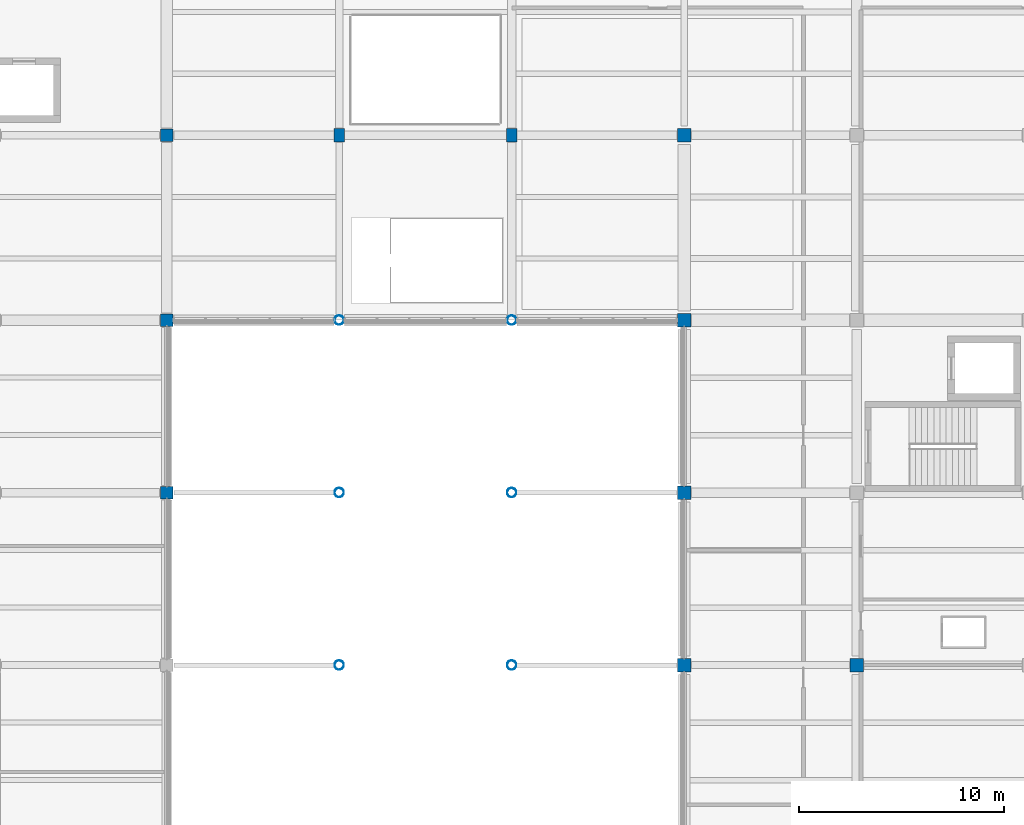
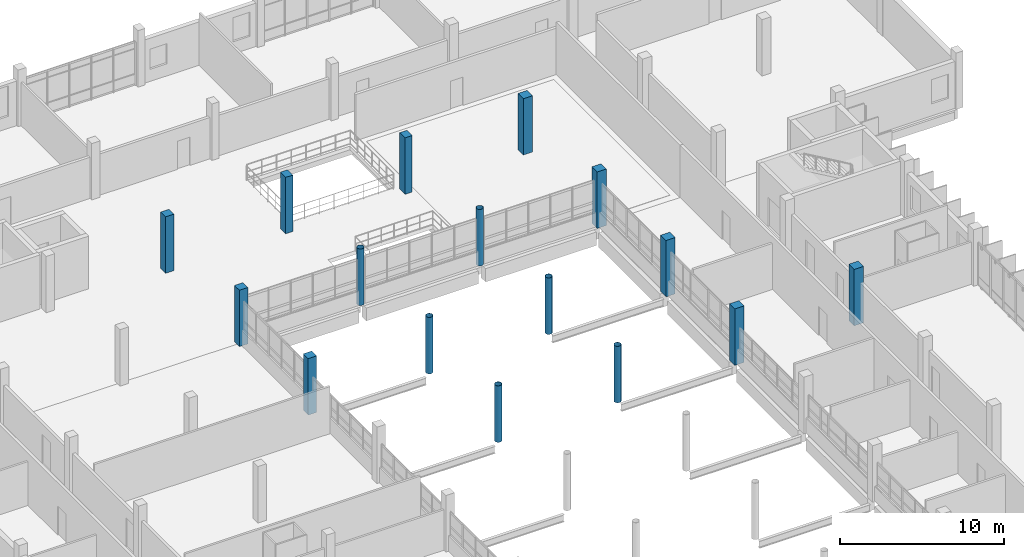
# One storey, part 6 of 101: 16 columns.
"""IFC4 building model written with IfcOpenShell, lengths in metres."""

from ifc_helpers import new_model, si_unit, direction, frame, origin, origin_2d, place, context, subcontext, project, spatial, rectangle, hollow_circle, extrude, material, material_profile, profile_set, type_object, element, save


model = new_model("IFC4")

# Units and contexts
model_context = context("Model", 3, precision=1e-05, world=origin(), true_north=direction((0.0, 1.0)))
body_context = subcontext(model_context, "Body", "Model", "MODEL_VIEW")
ifc_project = project(units=[si_unit("LENGTHUNIT", "METRE"), si_unit("AREAUNIT", "SQUARE_METRE"), si_unit("VOLUMEUNIT", "CUBIC_METRE"), si_unit("PLANEANGLEUNIT", "RADIAN"), si_unit("MASSUNIT", "GRAM", prefix="KILO")], contexts=[model_context])

# Site, building, storey
site_placement = place(None, origin())
site = spatial("IfcSite", under=ifc_project, at=site_placement, CompositionType="ELEMENT")
building_placement = place(site_placement, origin())
building = spatial("IfcBuilding", under=site, at=building_placement, Name="Vireocrest Preparatory School", CompositionType="ELEMENT")
storey_placement = place(building_placement, frame((0.0, 0.0, 4.800048828125)))
storey = spatial("IfcBuildingStorey", under=building, at=storey_placement, Name="L01", CompositionType="ELEMENT", Elevation=4.800048828125)

# Columns
ifc_material_1 = material(Name="Concrete 45 MPa", Category="concrete")
ifc_material_profile_1 = material_profile(ifc_material_1, rectangle(XDim=0.60009765625, YDim=0.60009765625, at=origin_2d()), Name="RC 600x600")
ifc_profile_set_1 = profile_set([ifc_material_profile_1], Name="Concrete 45 MPa")
column_type_1 = type_object("IfcColumnType", Name="RC Column 600x600", PredefinedType="COLUMN", material=ifc_profile_set_1)
for number, where, z_axis, x_axis, name in (
    (1, (67.199951171875, 77.39990234375, 0.0), (0.0, 0.0, 1.0), (1.0, 0.0, 0.0), "Column C05 L01 9/K"),
    (2, (67.199951171875, 85.800048828125, 0.0), (0.0, 0.0, 1.0), (1.0, 0.0, 0.0), "Column C05 L01 9/L"),
    (3, (67.199951171875, 94.800048828125, 0.0), (0.0, 0.0, 1.0), (1.0, 0.0, 0.0), "Column C05 L01 9/M"),
):
    element("IfcColumn", number, at=place(storey_placement, frame(where, z_axis=z_axis, x_axis=x_axis)), inside=storey, type_object=column_type_1, Name=name, PredefinedType="COLUMN", context=body_context, shape_type="SweptSolid", body=[
        extrude(rectangle(XDim=0.60009765625, YDim=0.60009765625, at=origin_2d()), origin(), (0.0, 0.0, 1.0), 4.199951171875),
    ])
ifc_material_profile_2 = material_profile(ifc_material_1, rectangle(XDim=0.64990234375, YDim=0.64990234375, at=origin_2d()), Name="RC 650x650")
ifc_profile_set_2 = profile_set([ifc_material_profile_2], Name="Concrete 45 MPa")
column_type_2 = type_object("IfcColumnType", Name="RC Column 650x650", PredefinedType="COLUMN", material=ifc_profile_set_2)
for number, where, z_axis, x_axis, name in (
    (4, (92.39990234375, 69.0, 0.0), (0.0, 0.0, 1.0), (1.0, 0.0, 0.0), "Column C06 L01 12/J"),
    (5, (92.39990234375, 77.39990234375, 0.0), (0.0, 0.0, 1.0), (1.0, 0.0, 0.0), "Column C06 L01 12/K"),
    (6, (92.39990234375, 85.800048828125, 0.0), (0.0, 0.0, 1.0), (1.0, 0.0, 0.0), "Column C06 L01 12/L"),
    (7, (92.39990234375, 94.800048828125, 0.0), (0.0, 0.0, 1.0), (1.0, 0.0, 0.0), "Column C06 L01 12/M"),
    (8, (100.800048828125, 69.0, 0.0), (0.0, 0.0, 1.0), (1.0, 0.0, 0.0), "Column C06 L01 13/J"),
):
    element("IfcColumn", number, at=place(storey_placement, frame(where, z_axis=z_axis, x_axis=x_axis)), inside=storey, type_object=column_type_2, Name=name, PredefinedType="COLUMN", context=body_context, shape_type="SweptSolid", body=[
        extrude(rectangle(XDim=0.64990234375, YDim=0.64990234375, at=origin_2d()), origin(), (0.0, 0.0, 1.0), 4.199951171875),
    ])
ifc_material_profile_3 = material_profile(ifc_material_1, rectangle(XDim=0.5, YDim=0.64990234375, at=origin_2d()), Name="RC 500x650")
ifc_profile_set_3 = profile_set([ifc_material_profile_3], Name="Concrete 45 MPa")
column_type_3 = type_object("IfcColumnType", Name="RC Hall Column 500x650", PredefinedType="COLUMN", material=ifc_profile_set_3)
for number, where, z_axis, x_axis, name in (
    (9, (75.60009765625, 94.800048828125, 0.0), (0.0, 0.0, 1.0), (1.0, 0.0, 0.0), "Column C11 L01 10/M"),
    (10, (84.0, 94.800048828125, 0.0), (0.0, 0.0, 1.0), (1.0, 0.0, 0.0), "Column C11 L01 11/M"),
):
    element("IfcColumn", number, at=place(storey_placement, frame(where, z_axis=z_axis, x_axis=x_axis)), inside=storey, type_object=column_type_3, Name=name, PredefinedType="COLUMN", context=body_context, shape_type="SweptSolid", body=[
        extrude(rectangle(XDim=0.5, YDim=0.64990234375, at=origin_2d()), origin(), (0.0, 0.0, 1.0), 4.199951171875),
    ])
ifc_material_2 = material(Name="Painted white steel ASTM A500 Grade C", Category="steel")
ifc_material_profile_4 = material_profile(ifc_material_2, hollow_circle(Radius=0.228515625, WallThickness=0.0126953125, at=origin_2d()), Name="HSS18.000X0.500")
ifc_profile_set_4 = profile_set([ifc_material_profile_4], Name="Painted white steel ASTM A500 Grade C")
column_type_4 = type_object("IfcColumnType", Name="White Steel Court Trunk HSS18.000X0.500", PredefinedType="USERDEFINED", material=ifc_profile_set_4)
for number, where, z_axis, x_axis, name in (
    (11, (75.60009765625, 69.0, 0.0), (0.0, 0.0, 1.0), (1.0, 0.0, 0.0), "Court Canopy Trunk VC2 W6 L01"),
    (12, (84.0, 69.0, 0.0), (0.0, 0.0, 1.0), (1.0, 0.0, 0.0), "Court Canopy Trunk VC2 E6 L01"),
    (13, (75.60009765625, 77.39990234375, 0.0), (0.0, 0.0, 1.0), (1.0, 0.0, 0.0), "Court Canopy Trunk VC2 W7 L01"),
    (14, (84.0, 77.39990234375, 0.0), (0.0, 0.0, 1.0), (1.0, 0.0, 0.0), "Court Canopy Trunk VC2 E7 L01"),
    (15, (75.60009765625, 85.800048828125, 0.0), (0.0, 0.0, 1.0), (1.0, 0.0, 0.0), "Court Canopy Trunk VC2 W8 L01"),
    (16, (84.0, 85.800048828125, 0.0), (0.0, 0.0, 1.0), (1.0, 0.0, 0.0), "Court Canopy Trunk VC2 E8 L01"),
):
    element("IfcColumn", number, at=place(storey_placement, frame(where, z_axis=z_axis, x_axis=x_axis)), inside=storey, type_object=column_type_4, Name=name, ObjectType="PILOTI", PredefinedType="USERDEFINED", context=body_context, shape_type="SweptSolid", body=[
        extrude(hollow_circle(Radius=0.228515625, WallThickness=0.0126953125, at=origin_2d()), origin(), (0.0, 0.0, 1.0), 4.199951171875),
    ])

save(model, "model.ifc")
